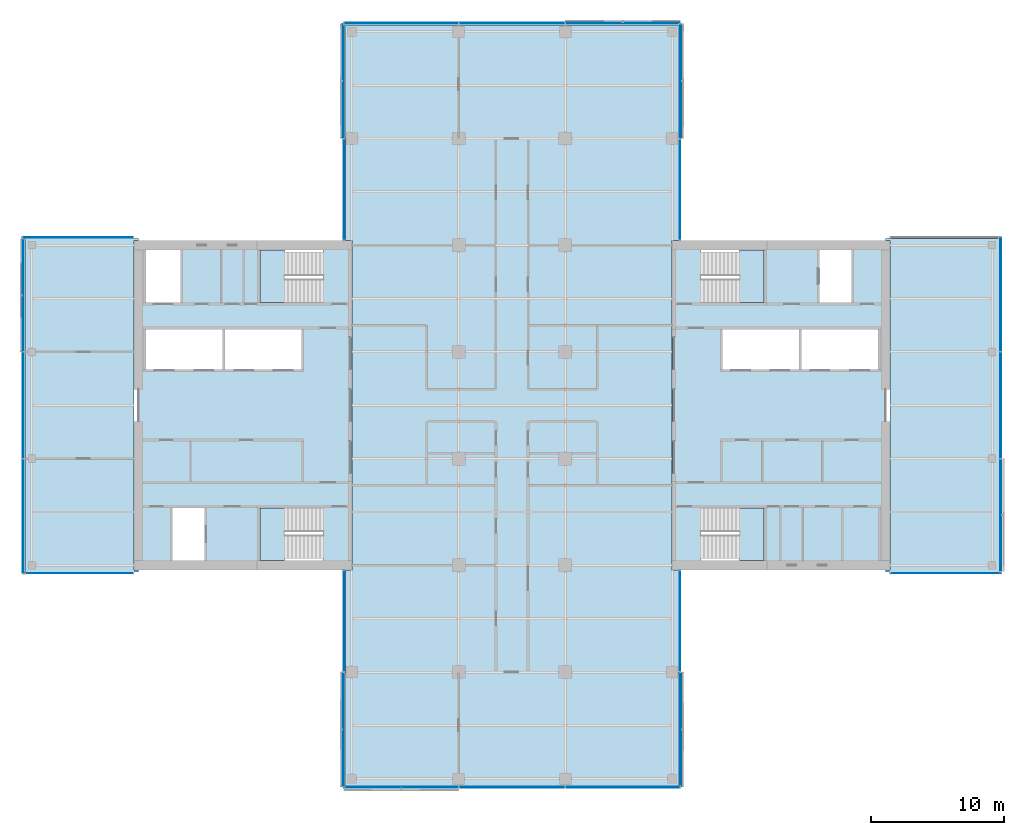
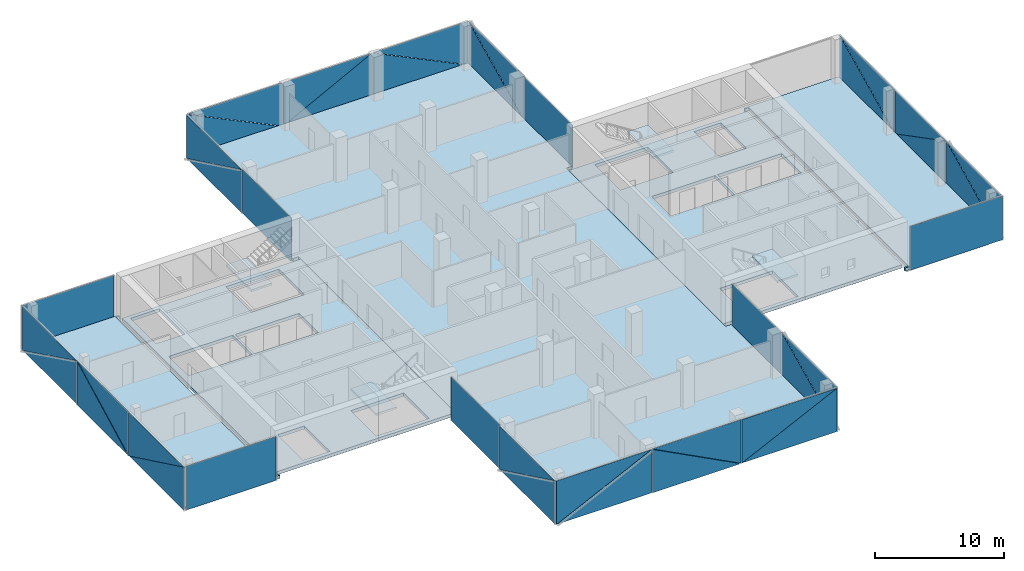
# One storey, part 12 of 22: 39 plates, 9 slabs, 19 elements without a shape of their own.
"""IFC4 building model written with IfcOpenShell, lengths in metres."""

import ifcopenshell
import ifcopenshell.guid

model = None  # the IFC model being written
_history = None  # IfcOwnerHistory: only IFC2X3 demands one
_inside = {}  # id of a spatial element -> (the spatial element, [elements in it])
_under = {}  # id of a project, library or spatial element -> (it, [spatial elements below it])
_declared = {}  # id of a project -> (the project, [libraries it declares])
_typed = {}  # id of a type object -> (the type object, [elements of that type])
_made_of = {}  # id of a material, layer set ... -> (it, [elements and type objects made of it])


def new_model(schema):
    """Start an empty IFC model of exactly this schema.

    Asked for "IFC4X3", IfcOpenShell would pick the latest addendum, in which some entities
    have other attributes; the version numbers below select the first issue.
    IFC2X3 requires an IfcOwnerHistory on every rooted entity: one is made here for all.
    """
    global model, _history
    if schema == "IFC4X3":
        model = ifcopenshell.file(schema_version=(4, 3, 0, 0))
    else:
        model = ifcopenshell.file(schema=schema)
    _inside.clear()
    _under.clear()
    _declared.clear()
    _typed.clear()
    _made_of.clear()
    _history = None
    if model.schema == "IFC2X3":
        org = make("IfcOrganization", Name="unknown")
        user = make(
            "IfcPersonAndOrganization",
            ThePerson=make("IfcPerson", FamilyName="unknown"),
            TheOrganization=org,
        )
        app = make(
            "IfcApplication",
            ApplicationDeveloper=org,
            Version="unknown",
            ApplicationFullName="unknown",
            ApplicationIdentifier="unknown",
        )
        _history = make(
            "IfcOwnerHistory",
            OwningUser=user,
            OwningApplication=app,
            ChangeAction="ADDED",
            CreationDate=0,
        )
    return model


def make(cls, **values):
    """One entity of the class cls with the attributes given. An attribute that is None is left unset."""
    return model.create_entity(
        cls, **{name: value for name, value in values.items() if value is not None}
    )


def rooted(cls, **values):
    """An entity with a GlobalId (a new one), such as an element, a storey or a relation."""
    return make(cls, GlobalId=ifcopenshell.guid.new(), OwnerHistory=_history, **values)


def si_unit(unit_type, name, prefix=None):
    """IfcSIUnit, for example si_unit("LENGTHUNIT", "METRE", prefix="MILLI")."""
    return make("IfcSIUnit", UnitType=unit_type, Prefix=prefix, Name=name)


def assignment(units):
    """IfcUnitAssignment: the units of a project."""
    return None if units is None else make("IfcUnitAssignment", Units=units)


def point(xyz):
    """IfcCartesianPoint."""
    return None if xyz is None else make("IfcCartesianPoint", Coordinates=xyz)


def direction(xyz):
    """IfcDirection."""
    return None if xyz is None else make("IfcDirection", DirectionRatios=xyz)


def frame(location, z_axis=None, x_axis=None):
    """IfcAxis2Placement3D, a coordinate frame: its origin and axes. An axis left out is left unset."""
    return make(
        "IfcAxis2Placement3D",
        Location=point(location),
        Axis=direction(z_axis),
        RefDirection=direction(x_axis),
    )


def origin():
    """The frame at (0, 0, 0) with its axes left unset."""
    return frame((0.0, 0.0, 0.0))


def place(relative_to, where):
    """IfcLocalPlacement: puts the frame where relative to a parent placement (None: the world)."""
    return make(
        "IfcLocalPlacement", PlacementRelTo=relative_to, RelativePlacement=where
    )


def context(
    kind, dimensions, precision=None, world=None, true_north=None, identifier=None
):
    """IfcGeometricRepresentationContext, for example the 3D "Model" context."""
    return make(
        "IfcGeometricRepresentationContext",
        ContextIdentifier=identifier,
        ContextType=kind,
        CoordinateSpaceDimension=dimensions,
        Precision=precision,
        WorldCoordinateSystem=world,
        TrueNorth=true_north,
    )


def subcontext(parent, identifier, kind, view, scale=None):
    """IfcGeometricRepresentationSubContext, for example "Body" below "Model"."""
    return make(
        "IfcGeometricRepresentationSubContext",
        ContextIdentifier=identifier,
        ContextType=kind,
        ParentContext=parent,
        TargetScale=scale,
        TargetView=view,
    )


def project(units=None, contexts=None):
    """IfcProject with its units and contexts."""
    return rooted(
        "IfcProject",
        Name="project",
        RepresentationContexts=contexts,
        UnitsInContext=assignment(units),
    )


def spatial(cls, under=None, at=None, **own):
    """A site, building, storey or space (cls), placed at a placement, below another one or the project."""
    s = rooted(cls, ObjectPlacement=at, **own)
    if under is not None:
        _under.setdefault(under.id(), (under, []))[1].append(s)
    return s


def polyline(points):
    """IfcPolyline through the points."""
    return make("IfcPolyline", Points=[point(p) for p in points])


def outline(outer, holes=None, kind="AREA"):
    """IfcArbitraryClosedProfileDef: a profile drawn as a closed curve; with holes, ...WithVoids."""
    if holes is None:
        return make("IfcArbitraryClosedProfileDef", ProfileType=kind, OuterCurve=outer)
    return make(
        "IfcArbitraryProfileDefWithVoids",
        ProfileType=kind,
        OuterCurve=outer,
        InnerCurves=holes,
    )


def extrude(swept, where, along, depth):
    """IfcExtrudedAreaSolid: the profile swept, set in the frame where, extruded along a direction by depth."""
    return make(
        "IfcExtrudedAreaSolid",
        SweptArea=swept,
        Position=where,
        ExtrudedDirection=direction(along),
        Depth=depth,
    )


def shape(context_of_items, identifier, shape_type, items):
    """IfcShapeRepresentation: the items that make up one representation, for example the "Body"."""
    return make(
        "IfcShapeRepresentation",
        ContextOfItems=context_of_items,
        RepresentationIdentifier=identifier,
        RepresentationType=shape_type,
        Items=items,
    )


def material(Name=None, Category=None):
    """IfcMaterial."""
    return make("IfcMaterial", Name=Name, Category=Category)


def layer(
    of_material, thickness, ventilated=None, Name=None, Category=None, Priority=None
):
    """IfcMaterialLayer: one layer of a wall or slab, of a material (None: an air gap)."""
    return make(
        "IfcMaterialLayer",
        Material=of_material,
        LayerThickness=thickness,
        IsVentilated=ventilated,
        Name=Name,
        Category=Category,
        Priority=Priority,
    )


def layer_set(layers, Name=None):
    """IfcMaterialLayerSet."""
    return make("IfcMaterialLayerSet", MaterialLayers=layers, LayerSetName=Name)


def made_of(thing, what):
    """Note that an element or type object is made of a material, layer set ...; save() writes the relation."""
    if what is not None:
        _made_of.setdefault(what.id(), (what, []))[1].append(thing)
    return thing


def type_object(cls, material=None, **own):
    """A type object (cls), such as IfcWallType, which elements share."""
    return made_of(rooted(cls, **own), material)


def element(
    cls,
    number,
    at=None,
    inside=None,
    cuts=None,
    type_object=None,
    material=None,
    context=None,
    identifier="Body",
    shape_type=None,
    held_by="IfcProductDefinitionShape",
    body=None,
    shapes=None,
    **own,
):
    """One element of the class cls, such as IfcWall. Its Tag is "e" and its number.

    at: its placement. inside: the storey or other place that contains it. cuts: it is an
    opening in that element (IfcRelVoidsElement). A single representation is given by context,
    identifier, shape_type and body (its items); several are given by shapes. held_by: the class
    of the entity that holds the representations. save() writes the other relations.
    """
    e = rooted(cls, Tag="e%d" % number, ObjectPlacement=at, **own)
    if body is not None:
        shapes = [shape(context, identifier, shape_type, body)]
    if shapes is not None:
        e.Representation = make(held_by, Representations=shapes)
    if inside is not None:
        _inside.setdefault(inside.id(), (inside, []))[1].append(e)
    if cuts is not None:
        rooted(
            "IfcRelVoidsElement", RelatingBuildingElement=cuts, RelatedOpeningElement=e
        )
    if type_object is not None:
        _typed.setdefault(type_object.id(), (type_object, []))[1].append(e)
    return made_of(e, material)


def aggregate(whole, parts):
    """IfcRelAggregates: a whole, such as a stair, and the parts it consists of."""
    return rooted("IfcRelAggregates", RelatingObject=whole, RelatedObjects=parts)


def save(model, path):
    """Write the relations noted so far, then the file.

    IfcRelAggregates (storeys below a building ...), IfcRelContainedInSpatialStructure (elements
    in a storey), IfcRelDefinesByType, IfcRelAssociatesMaterial and IfcRelDeclares: one each for
    every whole, place, type object, material and project.
    """
    for whole, parts in _under.values():
        aggregate(whole, parts)
    for where, things in _inside.values():
        rooted(
            "IfcRelContainedInSpatialStructure",
            RelatedElements=things,
            RelatingStructure=where,
        )
    for kind, things in _typed.values():
        rooted("IfcRelDefinesByType", RelatedObjects=things, RelatingType=kind)
    for what, things in _made_of.values():
        rooted("IfcRelAssociatesMaterial", RelatedObjects=things, RelatingMaterial=what)
    for by, libraries in _declared.values():
        rooted("IfcRelDeclares", RelatingContext=by, RelatedDefinitions=libraries)
    model.write(path)


model = new_model("IFC4")

# Units and contexts
model_context = context("Model", 3, precision=1e-05, world=origin(), true_north=direction((0.0, 1.0)))
body_context = subcontext(model_context, "Body", "Model", "MODEL_VIEW")
ifc_project = project(units=[si_unit("LENGTHUNIT", "METRE"), si_unit("AREAUNIT", "SQUARE_METRE"), si_unit("VOLUMEUNIT", "CUBIC_METRE"), si_unit("PLANEANGLEUNIT", "RADIAN"), si_unit("MASSUNIT", "GRAM", prefix="KILO")], contexts=[model_context])

# Site, building, storey
site_placement = place(None, origin())
site = spatial("IfcSite", under=ifc_project, at=site_placement, CompositionType="ELEMENT")
building_placement = place(site_placement, origin())
building = spatial("IfcBuilding", under=site, at=building_placement, Name="Crosswind Convention Tower", CompositionType="ELEMENT")
storey_placement = place(building_placement, frame((0.0, 0.0, 158.89990234375)))
storey = spatial("IfcBuildingStorey", under=building, at=storey_placement, Name="L33", CompositionType="ELEMENT", Elevation=158.89990234375)

# Slabs
ifc_material_1 = material(Name="Concrete C40/50", Category="concrete")
ifc_layer_1 = layer(ifc_material_1, 0.300048828125)
ifc_layer_set_1 = layer_set([ifc_layer_1], Name="Concrete C40/50")
slab_type_1 = type_object("IfcSlabType", Name="Composite floor slab 300", PredefinedType="FLOOR", material=ifc_layer_set_1)
slab_1_placement = place(storey_placement, frame((0.0, 0.0, -0.2998046875)))
element("IfcSlab", 1, at=slab_1_placement, inside=storey, type_object=slab_type_1, Name="Floor slab L33 part 1", PredefinedType="FLOOR", context=body_context, shape_type="SweptSolid", body=[
    extrude(outline(polyline([(97.0, 87.5), (89.0, 87.5), (88.5, 87.5), (88.5, 88.0), (88.5, 112.0), (88.5, 112.5), (89.0, 112.5), (97.0, 112.5), (97.0, 112.35009765625), (96.64990234375, 112.35009765625), (96.64990234375, 87.64990234375), (97.0, 87.64990234375), (97.0, 87.5)])), origin(), (0.0, 0.0, 1.0), 0.2998046875),
])
slab_2_placement = place(storey_placement, frame((0.0, 0.0, -0.2998046875)))
element("IfcSlab", 2, at=slab_2_placement, inside=storey, type_object=slab_type_1, Name="Floor slab L33 part 2", PredefinedType="FLOOR", context=body_context, shape_type="SweptSolid", body=[
    extrude(outline(polyline([(112.5, 87.64990234375), (113.0, 87.64990234375), (113.0, 112.35009765625), (112.5, 112.35009765625), (112.5, 128.0), (112.5, 128.5), (113.0, 128.5), (137.0, 128.5), (137.5, 128.5), (137.5, 128.0), (137.5, 112.35009765625), (137.0, 112.35009765625), (137.0, 87.64990234375), (137.5, 87.64990234375), (137.5, 72.0), (137.5, 71.5), (137.0, 71.5), (113.0, 71.5), (112.5, 71.5), (112.5, 72.0), (112.5, 87.64990234375)])), origin(), (0.0, 0.0, 1.0), 0.2998046875),
])
slab_3_placement = place(storey_placement, frame((0.0, 0.0, -0.2998046875)))
element("IfcSlab", 3, at=slab_3_placement, inside=storey, type_object=slab_type_1, Name="Floor slab L33 part 3", PredefinedType="FLOOR", context=body_context, shape_type="SweptSolid", body=[
    extrude(outline(polyline([(153.0, 112.5), (161.0, 112.5), (161.5, 112.5), (161.5, 112.0), (161.5, 88.0), (161.5, 87.5), (161.0, 87.5), (153.0, 87.5), (153.0, 87.64990234375), (153.35009765625, 87.64990234375), (153.35009765625, 112.35009765625), (153.0, 112.35009765625), (153.0, 112.5)])), origin(), (0.0, 0.0, 1.0), 0.2998046875),
])
ifc_layer_2 = layer(ifc_material_1, 0.300048828125)
ifc_layer_set_2 = layer_set([ifc_layer_2], Name="Concrete C40/50")
slab_type_2 = type_object("IfcSlabType", Name="Concrete core floor slab 300", PredefinedType="FLOOR", material=ifc_layer_set_2)
slab_4_placement = place(storey_placement, frame((0.0, 0.0, -0.2998046875)))
element("IfcSlab", 4, at=slab_4_placement, inside=storey, type_object=slab_type_2, Name="Core floor slab E L33", PredefinedType="FLOOR", context=body_context, shape_type="SweptSolid", body=[
    extrude(outline(polyline([(137.0, 88.0), (153.0, 88.0), (153.0, 112.0), (137.0, 112.0), (137.0, 88.0)]), holes=[polyline([(146.5, 102.699951171875), (146.5, 105.699951171875), (140.800048828125, 105.699951171875), (140.800048828125, 102.699951171875), (146.5, 102.699951171875)]), polyline([(152.449951171875, 102.699951171875), (152.449951171875, 105.699951171875), (146.699951171875, 105.699951171875), (146.699951171875, 102.699951171875), (152.449951171875, 102.699951171875)]), polyline([(150.449951171875, 107.699951171875), (150.449951171875, 111.64990234375), (148.050048828125, 111.64990234375), (148.050048828125, 107.699951171875), (150.449951171875, 107.699951171875)]), polyline([(143.89990234375, 107.699951171875), (143.89990234375, 111.64990234375), (139.14990234375, 111.64990234375), (139.14990234375, 107.699951171875), (143.89990234375, 107.699951171875)]), polyline([(143.89990234375, 88.35009765625), (143.89990234375, 92.300048828125), (139.14990234375, 92.300048828125), (139.14990234375, 88.35009765625), (143.89990234375, 88.35009765625)])]), origin(), (0.0, 0.0, 1.0), 0.2998046875),
])
slab_5_placement = place(storey_placement, frame((0.0, 0.0, -0.2998046875)))
element("IfcSlab", 5, at=slab_5_placement, inside=storey, type_object=slab_type_2, Name="Core floor slab W L33", PredefinedType="FLOOR", context=body_context, shape_type="SweptSolid", body=[
    extrude(outline(polyline([(97.0, 88.0), (113.0, 88.0), (113.0, 112.0), (97.0, 112.0), (97.0, 88.0)]), holes=[polyline([(109.199951171875, 102.699951171875), (109.199951171875, 105.699951171875), (103.5, 105.699951171875), (103.5, 102.699951171875), (109.199951171875, 102.699951171875)]), polyline([(103.300048828125, 102.699951171875), (103.300048828125, 105.699951171875), (97.550048828125, 105.699951171875), (97.550048828125, 102.699951171875), (103.300048828125, 102.699951171875)]), polyline([(101.949951171875, 88.35009765625), (101.949951171875, 92.300048828125), (99.550048828125, 92.300048828125), (99.550048828125, 88.35009765625), (101.949951171875, 88.35009765625)]), polyline([(100.14990234375, 107.699951171875), (100.14990234375, 111.64990234375), (97.550048828125, 111.64990234375), (97.550048828125, 107.699951171875), (100.14990234375, 107.699951171875)]), polyline([(110.85009765625, 88.35009765625), (110.85009765625, 92.300048828125), (106.10009765625, 92.300048828125), (106.10009765625, 88.35009765625), (110.85009765625, 88.35009765625)]), polyline([(110.85009765625, 107.699951171875), (110.85009765625, 111.64990234375), (106.10009765625, 111.64990234375), (106.10009765625, 107.699951171875), (110.85009765625, 107.699951171875)])]), origin(), (0.0, 0.0, 1.0), 0.2998046875),
])

# Stair, slab
stair_type = type_object("IfcStairType", Name="Exit stair 1800 wide, 2 flights of 11 risers", PredefinedType="HALF_TURN_STAIR", material=ifc_material_1)
stair_1_placement = place(storey_placement, origin())
stair_1 = element("IfcStair", 6, at=stair_1_placement, inside=storey, type_object=stair_type, Name="Exit stair ST1 L33", ObjectType="ST5", PredefinedType="HALF_TURN_STAIR")
ifc_layer_3 = layer(ifc_material_1, 0.199951171875)
ifc_layer_set_3 = layer_set([ifc_layer_3], Name="Concrete C40/50")
slab_type_3 = type_object("IfcSlabType", Name="Stair landing 200", PredefinedType="LANDING", material=ifc_layer_set_3)
slab_6_placement = place(storey_placement, frame((0.0, 0.0, 1.900146484375)))
slab_6 = element("IfcSlab", 7, at=slab_6_placement, type_object=slab_type_3, Name="ST1 landing 1", PredefinedType="LANDING", context=body_context, shape_type="SweptSolid", body=[
    extrude(outline(polyline([(143.89990234375, 107.699951171875), (143.89990234375, 111.64990234375), (142.050048828125, 111.64990234375), (142.050048828125, 107.699951171875), (143.89990234375, 107.699951171875)])), origin(), (0.0, 0.0, 1.0), 0.199951171875),
])
aggregate(stair_1, [slab_6])

stair_2_placement = place(storey_placement, origin())
stair_2 = element("IfcStair", 8, at=stair_2_placement, inside=storey, type_object=stair_type, Name="Exit stair ST2 L33", ObjectType="ST5", PredefinedType="HALF_TURN_STAIR")
slab_7_placement = place(storey_placement, frame((0.0, 0.0, 1.900146484375)))
slab_7 = element("IfcSlab", 9, at=slab_7_placement, type_object=slab_type_3, Name="ST2 landing 1", PredefinedType="LANDING", context=body_context, shape_type="SweptSolid", body=[
    extrude(outline(polyline([(143.89990234375, 88.35009765625), (143.89990234375, 92.300048828125), (142.050048828125, 92.300048828125), (142.050048828125, 88.35009765625), (143.89990234375, 88.35009765625)])), origin(), (0.0, 0.0, 1.0), 0.199951171875),
])
aggregate(stair_2, [slab_7])

stair_3_placement = place(storey_placement, origin())
stair_3 = element("IfcStair", 10, at=stair_3_placement, inside=storey, type_object=stair_type, Name="Exit stair ST3 L33", ObjectType="ST5", PredefinedType="HALF_TURN_STAIR")
slab_8_placement = place(storey_placement, frame((0.0, 0.0, 1.900146484375)))
slab_8 = element("IfcSlab", 11, at=slab_8_placement, type_object=slab_type_3, Name="ST3 landing 1", PredefinedType="LANDING", context=body_context, shape_type="SweptSolid", body=[
    extrude(outline(polyline([(107.949951171875, 88.35009765625), (107.949951171875, 92.300048828125), (106.10009765625, 92.300048828125), (106.10009765625, 88.35009765625), (107.949951171875, 88.35009765625)])), origin(), (0.0, 0.0, 1.0), 0.199951171875),
])
aggregate(stair_3, [slab_8])

stair_4_placement = place(storey_placement, origin())
stair_4 = element("IfcStair", 12, at=stair_4_placement, inside=storey, type_object=stair_type, Name="Exit stair ST4 L33", ObjectType="ST5", PredefinedType="HALF_TURN_STAIR")
slab_9_placement = place(storey_placement, frame((0.0, 0.0, 1.900146484375)))
slab_9 = element("IfcSlab", 13, at=slab_9_placement, type_object=slab_type_3, Name="ST4 landing 1", PredefinedType="LANDING", context=body_context, shape_type="SweptSolid", body=[
    extrude(outline(polyline([(107.949951171875, 107.699951171875), (107.949951171875, 111.64990234375), (106.10009765625, 111.64990234375), (106.10009765625, 107.699951171875), (107.949951171875, 107.699951171875)])), origin(), (0.0, 0.0, 1.0), 0.199951171875),
])
aggregate(stair_4, [slab_9])

# Curtain wall, plate
ifc_material_2 = material(Name="Aluminium unitised curtain wall", Category="aluminium")
curtain_wall_type_1 = type_object("IfcCurtainWallType", Name="CORE END SLOT WALL 160", PredefinedType="USERDEFINED", material=ifc_material_2)
curtain_wall_1_placement = place(storey_placement, origin())
curtain_wall_1 = element("IfcCurtainWall", 14, at=curtain_wall_1_placement, inside=storey, type_object=curtain_wall_type_1, Name="CW6 L33 N-E.1-1 slot", ObjectType="UNITISED", PredefinedType="USERDEFINED")
ifc_material_3 = material(Name="Laminated insulating glass unit", Category="glass")
ifc_layer_4 = layer(ifc_material_3, 0.02587890625)
ifc_layer_set_4 = layer_set([ifc_layer_4], Name="TRIANGULAR GLASS PANEL 26")
plate_type_1 = type_object("IfcPlateType", Name="TRIANGULAR GLASS PANEL 26", PredefinedType="CURTAIN_PANEL", material=ifc_layer_set_4)
plate_1_placement = place(storey_placement, frame((137.60693359375, 112.39990234375, -0.2998046875), z_axis=(0.999999915205, 0.0, 0.00041181312), x_axis=(0.0, 1.0, 0.0)))
plate_1 = element("IfcPlate", 15, at=plate_1_placement, type_object=plate_type_1, Name="CW6 panel 1.1", PredefinedType="CURTAIN_PANEL", context=body_context, shape_type="SweptSolid", body=[
    extrude(outline(polyline([(0.0, 0.0), (7.550048828125, 0.0), (7.550048828125, 4.149902695641108), (0.0, 4.149902695641108), (0.0, 0.0)])), origin(), (0.0, 0.0, -1.0), 0.02587890625),
])
aggregate(curtain_wall_1, [plate_1])

curtain_wall_2_placement = place(storey_placement, origin())
curtain_wall_2 = element("IfcCurtainWall", 16, at=curtain_wall_2_placement, inside=storey, type_object=curtain_wall_type_1, Name="CW6 L33 N-W.1-2 slot", ObjectType="UNITISED", PredefinedType="USERDEFINED")
plate_2_placement = place(storey_placement, frame((112.39306640625, 119.949951171875, -0.2998046875), z_axis=(-0.999999915205, 0.0, 0.00041181312), x_axis=(0.0, -1.0, 0.0)))
plate_2 = element("IfcPlate", 17, at=plate_2_placement, type_object=plate_type_1, Name="CW6 panel 1.1", PredefinedType="CURTAIN_PANEL", context=body_context, shape_type="SweptSolid", body=[
    extrude(outline(polyline([(0.0, 0.0), (7.550048828125, 0.0), (7.550048828125, 4.149902695641108), (0.0, 4.149902695641108), (0.0, 0.0)])), origin(), (0.0, 0.0, -1.0), 0.02587890625),
])
aggregate(curtain_wall_2, [plate_2])

curtain_wall_3_placement = place(storey_placement, origin())
curtain_wall_3 = element("IfcCurtainWall", 18, at=curtain_wall_3_placement, inside=storey, type_object=curtain_wall_type_1, Name="CW6 L33 W-N.2-1 slot", ObjectType="UNITISED", PredefinedType="USERDEFINED")
plate_3_placement = place(storey_placement, frame((96.60009765625, 112.60693359375, -0.2998046875), z_axis=(0.0, 0.999999915205, 0.00041181312), x_axis=(-1.0, 0.0, 0.0)))
plate_3 = element("IfcPlate", 19, at=plate_3_placement, type_object=plate_type_1, Name="CW6 panel 1.1", PredefinedType="CURTAIN_PANEL", context=body_context, shape_type="SweptSolid", body=[
    extrude(outline(polyline([(0.0, 0.0), (8.27001953125, 0.0), (8.27001953125, 4.149902695641109), (0.0, 4.149902695641109), (0.0, 0.0)])), origin(), (0.0, 0.0, -1.0), 0.02587890625),
])
aggregate(curtain_wall_3, [plate_3])

curtain_wall_4_placement = place(storey_placement, origin())
curtain_wall_4 = element("IfcCurtainWall", 20, at=curtain_wall_4_placement, inside=storey, type_object=curtain_wall_type_1, Name="CW6 L33 W-S.1-1 slot", ObjectType="UNITISED", PredefinedType="USERDEFINED")
plate_4_placement = place(storey_placement, frame((88.550048828125, 87.39306640625, -0.2998046875), z_axis=(0.0, -0.999999915205, 0.00041181312), x_axis=(1.0, 0.0, 0.0)))
plate_4 = element("IfcPlate", 21, at=plate_4_placement, type_object=plate_type_1, Name="CW6 panel 1.1", PredefinedType="CURTAIN_PANEL", context=body_context, shape_type="SweptSolid", body=[
    extrude(outline(polyline([(0.0, 0.0), (8.050048828125, 0.0), (8.050048828125, 4.149902695641108), (0.0, 4.149902695641108), (0.0, 0.0)])), origin(), (0.0, 0.0, -1.0), 0.02587890625),
])
aggregate(curtain_wall_4, [plate_4])

curtain_wall_5_placement = place(storey_placement, origin())
curtain_wall_5 = element("IfcCurtainWall", 22, at=curtain_wall_5_placement, inside=storey, type_object=curtain_wall_type_1, Name="CW6 L33 S-W.1-1 slot", ObjectType="UNITISED", PredefinedType="USERDEFINED")
plate_5_placement = place(storey_placement, frame((112.39306640625, 87.60009765625, -0.2998046875), z_axis=(-0.999999915205, 0.0, 0.00041181312), x_axis=(0.0, -1.0, 0.0)))
plate_5 = element("IfcPlate", 23, at=plate_5_placement, type_object=plate_type_1, Name="CW6 panel 1.1", PredefinedType="CURTAIN_PANEL", context=body_context, shape_type="SweptSolid", body=[
    extrude(outline(polyline([(0.0, 0.0), (7.550048828125, 0.0), (7.550048828125, 4.149902695641108), (0.0, 4.149902695641108), (0.0, 0.0)])), origin(), (0.0, 0.0, -1.0), 0.02587890625),
])
aggregate(curtain_wall_5, [plate_5])

curtain_wall_6_placement = place(storey_placement, origin())
curtain_wall_6 = element("IfcCurtainWall", 24, at=curtain_wall_6_placement, inside=storey, type_object=curtain_wall_type_1, Name="CW6 L33 S-E.1-2 slot", ObjectType="UNITISED", PredefinedType="USERDEFINED")
plate_6_placement = place(storey_placement, frame((137.60693359375, 80.050048828125, -0.2998046875), z_axis=(0.999999915205, 0.0, 0.00041181312), x_axis=(0.0, 1.0, 0.0)))
plate_6 = element("IfcPlate", 25, at=plate_6_placement, type_object=plate_type_1, Name="CW6 panel 1.1", PredefinedType="CURTAIN_PANEL", context=body_context, shape_type="SweptSolid", body=[
    extrude(outline(polyline([(0.0, 0.0), (7.550048828125, 0.0), (7.550048828125, 4.149902695641108), (0.0, 4.149902695641108), (0.0, 0.0)])), origin(), (0.0, 0.0, -1.0), 0.02587890625),
])
aggregate(curtain_wall_6, [plate_6])

curtain_wall_7_placement = place(storey_placement, origin())
curtain_wall_7 = element("IfcCurtainWall", 26, at=curtain_wall_7_placement, inside=storey, type_object=curtain_wall_type_1, Name="CW6 L33 E-S.2-1 slot", ObjectType="UNITISED", PredefinedType="USERDEFINED")
plate_7_placement = place(storey_placement, frame((153.39990234375, 87.39306640625, -0.2998046875), z_axis=(0.0, -0.999999915205, 0.00041181312), x_axis=(1.0, 0.0, 0.0)))
plate_7 = element("IfcPlate", 27, at=plate_7_placement, type_object=plate_type_1, Name="CW6 panel 1.1", PredefinedType="CURTAIN_PANEL", context=body_context, shape_type="SweptSolid", body=[
    extrude(outline(polyline([(0.0, 0.0), (8.27001953125, 0.0), (8.27001953125, 4.149902695641109), (0.0, 4.149902695641109), (0.0, 0.0)])), origin(), (0.0, 0.0, -1.0), 0.02587890625),
])
aggregate(curtain_wall_7, [plate_7])

# Curtain wall, plates
curtain_wall_type_2 = type_object("IfcCurtainWallType", Name="OFFICE UNITISED WALL 220", PredefinedType="USERDEFINED", material=ifc_material_2)
curtain_wall_8_placement = place(storey_placement, origin())
curtain_wall_8 = element("IfcCurtainWall", 28, at=curtain_wall_8_placement, inside=storey, type_object=curtain_wall_type_2, Name="CW3 L33 E-TIP 1", ObjectType="UNITISED", PredefinedType="USERDEFINED")
ifc_layer_5 = layer(ifc_material_3, 0.031982421875)
ifc_layer_set_5 = layer_set([ifc_layer_5], Name="TRIANGULAR GLASS PANEL 32")
plate_type_2 = type_object("IfcPlateType", Name="TRIANGULAR GLASS PANEL 32", PredefinedType="CURTAIN_PANEL", material=ifc_layer_set_5)
plate_8_placement = place(storey_placement, frame((161.642822265625, 95.965087890625, -0.2998046875), z_axis=(0.999999913913, 0.0, 0.000414937724), x_axis=(-0.000414937724, 0.0, 0.999999913913)))
plate_8 = element("IfcPlate", 29, at=plate_8_placement, type_object=plate_type_2, Name="CW3 panel 1.1", PredefinedType="CURTAIN_PANEL", context=body_context, shape_type="SweptSolid", body=[
    extrude(outline(polyline([(0.0, 0.0), (4.118652698311059, 0.0), (0.0, 8.372314453125), (0.0, 0.0)])), origin(), (0.0, 0.0, -1.0), 0.031982421875),
])
plate_9_placement = place(storey_placement, frame((161.67529296875, 87.570068359375, 3.830078125), z_axis=(0.99999993676, 0.0, 0.000355639833), x_axis=(0.000355639833, 0.0, -0.99999993676)))
plate_9 = element("IfcPlate", 30, at=plate_9_placement, type_object=plate_type_2, Name="CW3 panel 1.2", PredefinedType="CURTAIN_PANEL", context=body_context, shape_type="SweptSolid", body=[
    extrude(outline(polyline([(0.0, 0.0), (4.1188967448534015, 0.0), (0.0, 8.372314453125), (0.0, 0.0)])), origin(), (0.0, 0.0, -1.0), 0.031982421875),
])
plate_10_placement = place(storey_placement, frame((161.64111328125, 103.965087890625, 3.830078125), z_axis=(0.999999913913, 0.0, 0.000414937724), x_axis=(0.0, -1.0, 0.0)))
plate_10 = element("IfcPlate", 31, at=plate_10_placement, type_object=plate_type_2, Name="CW3 panel 2.1", PredefinedType="CURTAIN_PANEL", context=body_context, shape_type="SweptSolid", body=[
    extrude(outline(polyline([(0.0, 0.0), (7.908447265625, 0.0), (0.0, 4.118652698311059), (0.0, 0.0)])), origin(), (0.0, 0.0, -1.0), 0.031982421875),
])
plate_11_placement = place(storey_placement, frame((161.6767578125, 96.034912109375, -0.2998046875), z_axis=(0.999999936753, 0.0, 0.000355660914), x_axis=(0.0, 1.0, 0.0)))
plate_11 = element("IfcPlate", 32, at=plate_11_placement, type_object=plate_type_2, Name="CW3 panel 2.2", PredefinedType="CURTAIN_PANEL", context=body_context, shape_type="SweptSolid", body=[
    extrude(outline(polyline([(0.0, 0.0), (7.908447265625, 0.0), (0.0, 4.118652604243842), (0.0, 0.0)])), origin(), (0.0, 0.0, -1.0), 0.031982421875),
])
plate_12_placement = place(storey_placement, frame((161.642822265625, 112.590087890625, -0.2998046875), z_axis=(0.999999913924, 0.0, 0.000414913129), x_axis=(-0.000414913129, 0.0, 0.999999913924)))
plate_12 = element("IfcPlate", 33, at=plate_12_placement, type_object=plate_type_2, Name="CW3 panel 3.1", PredefinedType="CURTAIN_PANEL", context=body_context, shape_type="SweptSolid", body=[
    extrude(outline(polyline([(0.0, 0.0), (4.118896838915043, 0.0), (0.0, 8.531982421874998), (0.0, 0.0)])), origin(), (0.0, 0.0, -1.0), 0.031982421875),
])
plate_13_placement = place(storey_placement, frame((161.67529296875, 104.034912109375, 3.830078125), z_axis=(0.99999993676, 0.0, 0.000355639833), x_axis=(0.000355639833, 0.0, -0.99999993676)))
plate_13 = element("IfcPlate", 34, at=plate_13_placement, type_object=plate_type_2, Name="CW3 panel 3.2", PredefinedType="CURTAIN_PANEL", context=body_context, shape_type="SweptSolid", body=[
    extrude(outline(polyline([(0.0, 0.0), (4.1188967448534015, 0.0), (0.0, 8.531982421875), (0.0, 0.0)])), origin(), (0.0, 0.0, -1.0), 0.031982421875),
])
aggregate(curtain_wall_8, [plate_8, plate_9, plate_10, plate_11, plate_12, plate_13])

curtain_wall_9_placement = place(storey_placement, origin())
curtain_wall_9 = element("IfcCurtainWall", 35, at=curtain_wall_9_placement, inside=storey, type_object=curtain_wall_type_2, Name="CW3 L33 N-E 1", ObjectType="UNITISED", PredefinedType="USERDEFINED")
plate_14_placement = place(storey_placement, frame((137.642822265625, 128.574951171875, -0.2998046875), z_axis=(0.999999913924, 0.0, 0.000414913129), x_axis=(-0.000414913129, 0.0, 0.999999913924)))
plate_14 = element("IfcPlate", 36, at=plate_14_placement, type_object=plate_type_2, Name="CW3 panel 1.1", PredefinedType="CURTAIN_PANEL", context=body_context, shape_type="SweptSolid", body=[
    extrude(outline(polyline([(0.0, 0.0), (4.118896838915043, 0.0), (0.0, 8.517089843749998), (0.0, 0.0)])), origin(), (0.0, 0.0, -1.0), 0.031982421875),
])
plate_15_placement = place(storey_placement, frame((137.67529296875, 120.034912109375, 3.830078125), z_axis=(0.99999993676, 0.0, 0.000355639833), x_axis=(0.000355639833, 0.0, -0.99999993676)))
plate_15 = element("IfcPlate", 37, at=plate_15_placement, type_object=plate_type_2, Name="CW3 panel 1.2", PredefinedType="CURTAIN_PANEL", context=body_context, shape_type="SweptSolid", body=[
    extrude(outline(polyline([(0.0, 0.0), (4.1188967448534015, 0.0), (0.0, 8.51708984375), (0.0, 0.0)])), origin(), (0.0, 0.0, -1.0), 0.031982421875),
])
aggregate(curtain_wall_9, [plate_14, plate_15])

curtain_wall_10_placement = place(storey_placement, origin())
curtain_wall_10 = element("IfcCurtainWall", 38, at=curtain_wall_10_placement, inside=storey, type_object=curtain_wall_type_2, Name="CW3 L33 N-TIP 1", ObjectType="UNITISED", PredefinedType="USERDEFINED")
plate_16_placement = place(storey_placement, frame((129.034912109375, 128.642822265625, -0.2998046875), z_axis=(0.0, 0.999999913924, 0.000414913129), x_axis=(0.0, -0.000414913129, 0.999999913924)))
plate_16 = element("IfcPlate", 39, at=plate_16_placement, type_object=plate_type_2, Name="CW3 panel 1.1", PredefinedType="CURTAIN_PANEL", context=body_context, shape_type="SweptSolid", body=[
    extrude(outline(polyline([(0.0, 0.0), (4.118896838915043, 0.0), (0.0, 8.517089843749998), (0.0, 0.0)])), origin(), (0.0, 0.0, -1.0), 0.031982421875),
])
plate_17_placement = place(storey_placement, frame((137.574951171875, 128.67529296875, 3.830078125), z_axis=(0.0, 0.99999993676, 0.000355639833), x_axis=(0.0, 0.000355639833, -0.99999993676)))
plate_17 = element("IfcPlate", 40, at=plate_17_placement, type_object=plate_type_2, Name="CW3 panel 1.2", PredefinedType="CURTAIN_PANEL", context=body_context, shape_type="SweptSolid", body=[
    extrude(outline(polyline([(0.0, 0.0), (4.1188967448534015, 0.0), (0.0, 8.51708984375), (0.0, 0.0)])), origin(), (0.0, 0.0, -1.0), 0.031982421875),
])
plate_18_placement = place(storey_placement, frame((121.034912109375, 128.64111328125, 3.830078125), z_axis=(0.0, 0.999999913913, 0.000414937724), x_axis=(1.0, 0.0, 0.0)))
plate_18 = element("IfcPlate", 41, at=plate_18_placement, type_object=plate_type_2, Name="CW3 panel 2.1", PredefinedType="CURTAIN_PANEL", context=body_context, shape_type="SweptSolid", body=[
    extrude(outline(polyline([(0.0, 0.0), (7.908447265625, 0.0), (0.0, 4.118652698311059), (0.0, 0.0)])), origin(), (0.0, 0.0, -1.0), 0.031982421875),
])
plate_19_placement = place(storey_placement, frame((128.965087890625, 128.6767578125, -0.2998046875), z_axis=(0.0, 0.999999936753, 0.000355660914), x_axis=(-1.0, 0.0, 0.0)))
plate_19 = element("IfcPlate", 42, at=plate_19_placement, type_object=plate_type_2, Name="CW3 panel 2.2", PredefinedType="CURTAIN_PANEL", context=body_context, shape_type="SweptSolid", body=[
    extrude(outline(polyline([(0.0, 0.0), (7.908447265625, 0.0), (0.0, 4.118652604243842), (0.0, 0.0)])), origin(), (0.0, 0.0, -1.0), 0.031982421875),
])
plate_20_placement = place(storey_placement, frame((112.425048828125, 128.642822265625, -0.2998046875), z_axis=(0.0, 0.999999913924, 0.000414913129), x_axis=(0.0, -0.000414913129, 0.999999913924)))
plate_20 = element("IfcPlate", 43, at=plate_20_placement, type_object=plate_type_2, Name="CW3 panel 3.1", PredefinedType="CURTAIN_PANEL", context=body_context, shape_type="SweptSolid", body=[
    extrude(outline(polyline([(0.0, 0.0), (4.118896838915043, 0.0), (0.0, 8.517089843749998), (0.0, 0.0)])), origin(), (0.0, 0.0, -1.0), 0.031982421875),
])
plate_21_placement = place(storey_placement, frame((120.965087890625, 128.67529296875, 3.830078125), z_axis=(0.0, 0.99999993676, 0.000355639833), x_axis=(0.0, 0.000355639833, -0.99999993676)))
plate_21 = element("IfcPlate", 44, at=plate_21_placement, type_object=plate_type_2, Name="CW3 panel 3.2", PredefinedType="CURTAIN_PANEL", context=body_context, shape_type="SweptSolid", body=[
    extrude(outline(polyline([(0.0, 0.0), (4.1188967448534015, 0.0), (0.0, 8.51708984375), (0.0, 0.0)])), origin(), (0.0, 0.0, -1.0), 0.031982421875),
])
aggregate(curtain_wall_10, [plate_16, plate_17, plate_18, plate_19, plate_20, plate_21])

curtain_wall_11_placement = place(storey_placement, origin())
curtain_wall_11 = element("IfcCurtainWall", 45, at=curtain_wall_11_placement, inside=storey, type_object=curtain_wall_type_2, Name="CW3 L33 N-W 1", ObjectType="UNITISED", PredefinedType="USERDEFINED")
plate_22_placement = place(storey_placement, frame((112.357177734375, 120.034912109375, -0.2998046875), z_axis=(-0.999999913924, 0.0, 0.000414913129), x_axis=(0.000414913129, 0.0, 0.999999913924)))
plate_22 = element("IfcPlate", 46, at=plate_22_placement, type_object=plate_type_2, Name="CW3 panel 1.1", PredefinedType="CURTAIN_PANEL", context=body_context, shape_type="SweptSolid", body=[
    extrude(outline(polyline([(0.0, 0.0), (4.118896838915043, 0.0), (0.0, 8.517089843749998), (0.0, 0.0)])), origin(), (0.0, 0.0, -1.0), 0.031982421875),
])
plate_23_placement = place(storey_placement, frame((112.32470703125, 128.574951171875, 3.830078125), z_axis=(-0.99999993676, 0.0, 0.000355639833), x_axis=(-0.000355639833, 0.0, -0.99999993676)))
plate_23 = element("IfcPlate", 47, at=plate_23_placement, type_object=plate_type_2, Name="CW3 panel 1.2", PredefinedType="CURTAIN_PANEL", context=body_context, shape_type="SweptSolid", body=[
    extrude(outline(polyline([(0.0, 0.0), (4.1188967448534015, 0.0), (0.0, 8.51708984375), (0.0, 0.0)])), origin(), (0.0, 0.0, -1.0), 0.031982421875),
])
aggregate(curtain_wall_11, [plate_22, plate_23])

curtain_wall_12_placement = place(storey_placement, origin())
curtain_wall_12 = element("IfcCurtainWall", 48, at=curtain_wall_12_placement, inside=storey, type_object=curtain_wall_type_2, Name="CW3 L33 W-TIP 1", ObjectType="UNITISED", PredefinedType="USERDEFINED")
plate_24_placement = place(storey_placement, frame((88.357177734375, 104.034912109375, -0.2998046875), z_axis=(-0.999999913913, 0.0, 0.000414937724), x_axis=(0.000414937724, 0.0, 0.999999913913)))
plate_24 = element("IfcPlate", 49, at=plate_24_placement, type_object=plate_type_2, Name="CW3 panel 1.1", PredefinedType="CURTAIN_PANEL", context=body_context, shape_type="SweptSolid", body=[
    extrude(outline(polyline([(0.0, 0.0), (4.118652698311059, 0.0), (0.0, 8.372314453125), (0.0, 0.0)])), origin(), (0.0, 0.0, -1.0), 0.031982421875),
])
plate_25_placement = place(storey_placement, frame((88.32470703125, 112.429931640625, 3.830078125), z_axis=(-0.99999993676, 0.0, 0.000355639833), x_axis=(-0.000355639833, 0.0, -0.99999993676)))
plate_25 = element("IfcPlate", 50, at=plate_25_placement, type_object=plate_type_2, Name="CW3 panel 1.2", PredefinedType="CURTAIN_PANEL", context=body_context, shape_type="SweptSolid", body=[
    extrude(outline(polyline([(0.0, 0.0), (4.1188967448534015, 0.0), (0.0, 8.372314453125), (0.0, 0.0)])), origin(), (0.0, 0.0, -1.0), 0.031982421875),
])
plate_26_placement = place(storey_placement, frame((88.35888671875, 96.034912109375, 3.830078125), z_axis=(-0.999999913913, 0.0, 0.000414937724), x_axis=(0.0, 1.0, 0.0)))
plate_26 = element("IfcPlate", 51, at=plate_26_placement, type_object=plate_type_2, Name="CW3 panel 2.1", PredefinedType="CURTAIN_PANEL", context=body_context, shape_type="SweptSolid", body=[
    extrude(outline(polyline([(0.0, 0.0), (7.908447265625, 0.0), (0.0, 4.118652698311059), (0.0, 0.0)])), origin(), (0.0, 0.0, -1.0), 0.031982421875),
])
plate_27_placement = place(storey_placement, frame((88.3232421875, 103.965087890625, -0.2998046875), z_axis=(-0.999999936753, 0.0, 0.000355660914), x_axis=(0.0, -1.0, 0.0)))
plate_27 = element("IfcPlate", 52, at=plate_27_placement, type_object=plate_type_2, Name="CW3 panel 2.2", PredefinedType="CURTAIN_PANEL", context=body_context, shape_type="SweptSolid", body=[
    extrude(outline(polyline([(0.0, 0.0), (7.908447265625, 0.0), (0.0, 4.118652604243842), (0.0, 0.0)])), origin(), (0.0, 0.0, -1.0), 0.031982421875),
])
plate_28_placement = place(storey_placement, frame((88.357177734375, 87.409912109375, -0.2998046875), z_axis=(-0.999999913924, 0.0, 0.000414913129), x_axis=(0.000414913129, 0.0, 0.999999913924)))
plate_28 = element("IfcPlate", 53, at=plate_28_placement, type_object=plate_type_2, Name="CW3 panel 3.1", PredefinedType="CURTAIN_PANEL", context=body_context, shape_type="SweptSolid", body=[
    extrude(outline(polyline([(0.0, 0.0), (4.118896838915043, 0.0), (0.0, 8.531982421874998), (0.0, 0.0)])), origin(), (0.0, 0.0, -1.0), 0.031982421875),
])
plate_29_placement = place(storey_placement, frame((88.32470703125, 95.965087890625, 3.830078125), z_axis=(-0.99999993676, 0.0, 0.000355639833), x_axis=(-0.000355639833, 0.0, -0.99999993676)))
plate_29 = element("IfcPlate", 54, at=plate_29_placement, type_object=plate_type_2, Name="CW3 panel 3.2", PredefinedType="CURTAIN_PANEL", context=body_context, shape_type="SweptSolid", body=[
    extrude(outline(polyline([(0.0, 0.0), (4.1188967448534015, 0.0), (0.0, 8.531982421875), (0.0, 0.0)])), origin(), (0.0, 0.0, -1.0), 0.031982421875),
])
aggregate(curtain_wall_12, [plate_24, plate_25, plate_26, plate_27, plate_28, plate_29])

curtain_wall_13_placement = place(storey_placement, origin())
curtain_wall_13 = element("IfcCurtainWall", 55, at=curtain_wall_13_placement, inside=storey, type_object=curtain_wall_type_2, Name="CW3 L33 S-W 1", ObjectType="UNITISED", PredefinedType="USERDEFINED")
plate_30_placement = place(storey_placement, frame((112.357177734375, 71.425048828125, -0.2998046875), z_axis=(-0.999999913924, 0.0, 0.000414913129), x_axis=(0.000414913129, 0.0, 0.999999913924)))
plate_30 = element("IfcPlate", 56, at=plate_30_placement, type_object=plate_type_2, Name="CW3 panel 1.1", PredefinedType="CURTAIN_PANEL", context=body_context, shape_type="SweptSolid", body=[
    extrude(outline(polyline([(0.0, 0.0), (4.118896838915043, 0.0), (0.0, 8.517089843749998), (0.0, 0.0)])), origin(), (0.0, 0.0, -1.0), 0.031982421875),
])
plate_31_placement = place(storey_placement, frame((112.32470703125, 79.965087890625, 3.830078125), z_axis=(-0.99999993676, 0.0, 0.000355639833), x_axis=(-0.000355639833, 0.0, -0.99999993676)))
plate_31 = element("IfcPlate", 57, at=plate_31_placement, type_object=plate_type_2, Name="CW3 panel 1.2", PredefinedType="CURTAIN_PANEL", context=body_context, shape_type="SweptSolid", body=[
    extrude(outline(polyline([(0.0, 0.0), (4.1188967448534015, 0.0), (0.0, 8.51708984375), (0.0, 0.0)])), origin(), (0.0, 0.0, -1.0), 0.031982421875),
])
aggregate(curtain_wall_13, [plate_30, plate_31])

curtain_wall_14_placement = place(storey_placement, origin())
curtain_wall_14 = element("IfcCurtainWall", 58, at=curtain_wall_14_placement, inside=storey, type_object=curtain_wall_type_2, Name="CW3 L33 S-TIP 1", ObjectType="UNITISED", PredefinedType="USERDEFINED")
plate_32_placement = place(storey_placement, frame((120.965087890625, 71.357177734375, -0.2998046875), z_axis=(0.0, -0.999999913924, 0.000414913129), x_axis=(0.0, 0.000414913129, 0.999999913924)))
plate_32 = element("IfcPlate", 59, at=plate_32_placement, type_object=plate_type_2, Name="CW3 panel 1.1", PredefinedType="CURTAIN_PANEL", context=body_context, shape_type="SweptSolid", body=[
    extrude(outline(polyline([(0.0, 0.0), (4.118896838915043, 0.0), (0.0, 8.517089843749998), (0.0, 0.0)])), origin(), (0.0, 0.0, -1.0), 0.031982421875),
])
plate_33_placement = place(storey_placement, frame((112.425048828125, 71.32470703125, 3.830078125), z_axis=(0.0, -0.99999993676, 0.000355639833), x_axis=(0.0, -0.000355639833, -0.99999993676)))
plate_33 = element("IfcPlate", 60, at=plate_33_placement, type_object=plate_type_2, Name="CW3 panel 1.2", PredefinedType="CURTAIN_PANEL", context=body_context, shape_type="SweptSolid", body=[
    extrude(outline(polyline([(0.0, 0.0), (4.1188967448534015, 0.0), (0.0, 8.51708984375), (0.0, 0.0)])), origin(), (0.0, 0.0, -1.0), 0.031982421875),
])
plate_34_placement = place(storey_placement, frame((128.965087890625, 71.35888671875, 3.830078125), z_axis=(0.0, -0.999999913913, 0.000414937724), x_axis=(-1.0, 0.0, 0.0)))
plate_34 = element("IfcPlate", 61, at=plate_34_placement, type_object=plate_type_2, Name="CW3 panel 2.1", PredefinedType="CURTAIN_PANEL", context=body_context, shape_type="SweptSolid", body=[
    extrude(outline(polyline([(0.0, 0.0), (7.908447265625, 0.0), (0.0, 4.118652698311059), (0.0, 0.0)])), origin(), (0.0, 0.0, -1.0), 0.031982421875),
])
plate_35_placement = place(storey_placement, frame((121.034912109375, 71.3232421875, -0.2998046875), z_axis=(0.0, -0.999999936753, 0.000355660914), x_axis=(1.0, 0.0, 0.0)))
plate_35 = element("IfcPlate", 62, at=plate_35_placement, type_object=plate_type_2, Name="CW3 panel 2.2", PredefinedType="CURTAIN_PANEL", context=body_context, shape_type="SweptSolid", body=[
    extrude(outline(polyline([(0.0, 0.0), (7.908447265625, 0.0), (0.0, 4.118652604243842), (0.0, 0.0)])), origin(), (0.0, 0.0, -1.0), 0.031982421875),
])
plate_36_placement = place(storey_placement, frame((137.574951171875, 71.357177734375, -0.2998046875), z_axis=(0.0, -0.999999913924, 0.000414913129), x_axis=(0.0, 0.000414913129, 0.999999913924)))
plate_36 = element("IfcPlate", 63, at=plate_36_placement, type_object=plate_type_2, Name="CW3 panel 3.1", PredefinedType="CURTAIN_PANEL", context=body_context, shape_type="SweptSolid", body=[
    extrude(outline(polyline([(0.0, 0.0), (4.118896838915043, 0.0), (0.0, 8.517089843749998), (0.0, 0.0)])), origin(), (0.0, 0.0, -1.0), 0.031982421875),
])
plate_37_placement = place(storey_placement, frame((129.034912109375, 71.32470703125, 3.830078125), z_axis=(0.0, -0.99999993676, 0.000355639833), x_axis=(0.0, -0.000355639833, -0.99999993676)))
plate_37 = element("IfcPlate", 64, at=plate_37_placement, type_object=plate_type_2, Name="CW3 panel 3.2", PredefinedType="CURTAIN_PANEL", context=body_context, shape_type="SweptSolid", body=[
    extrude(outline(polyline([(0.0, 0.0), (4.1188967448534015, 0.0), (0.0, 8.51708984375), (0.0, 0.0)])), origin(), (0.0, 0.0, -1.0), 0.031982421875),
])
aggregate(curtain_wall_14, [plate_32, plate_33, plate_34, plate_35, plate_36, plate_37])

curtain_wall_15_placement = place(storey_placement, origin())
curtain_wall_15 = element("IfcCurtainWall", 65, at=curtain_wall_15_placement, inside=storey, type_object=curtain_wall_type_2, Name="CW3 L33 S-E 1", ObjectType="UNITISED", PredefinedType="USERDEFINED")
plate_38_placement = place(storey_placement, frame((137.642822265625, 79.965087890625, -0.2998046875), z_axis=(0.999999913924, 0.0, 0.000414913129), x_axis=(-0.000414913129, 0.0, 0.999999913924)))
plate_38 = element("IfcPlate", 66, at=plate_38_placement, type_object=plate_type_2, Name="CW3 panel 1.1", PredefinedType="CURTAIN_PANEL", context=body_context, shape_type="SweptSolid", body=[
    extrude(outline(polyline([(0.0, 0.0), (4.118896838915043, 0.0), (0.0, 8.517089843749998), (0.0, 0.0)])), origin(), (0.0, 0.0, -1.0), 0.031982421875),
])
plate_39_placement = place(storey_placement, frame((137.67529296875, 71.425048828125, 3.830078125), z_axis=(0.99999993676, 0.0, 0.000355639833), x_axis=(0.000355639833, 0.0, -0.99999993676)))
plate_39 = element("IfcPlate", 67, at=plate_39_placement, type_object=plate_type_2, Name="CW3 panel 1.2", PredefinedType="CURTAIN_PANEL", context=body_context, shape_type="SweptSolid", body=[
    extrude(outline(polyline([(0.0, 0.0), (4.1188967448534015, 0.0), (0.0, 8.51708984375), (0.0, 0.0)])), origin(), (0.0, 0.0, -1.0), 0.031982421875),
])
aggregate(curtain_wall_15, [plate_38, plate_39])

save(model, "model.ifc")
